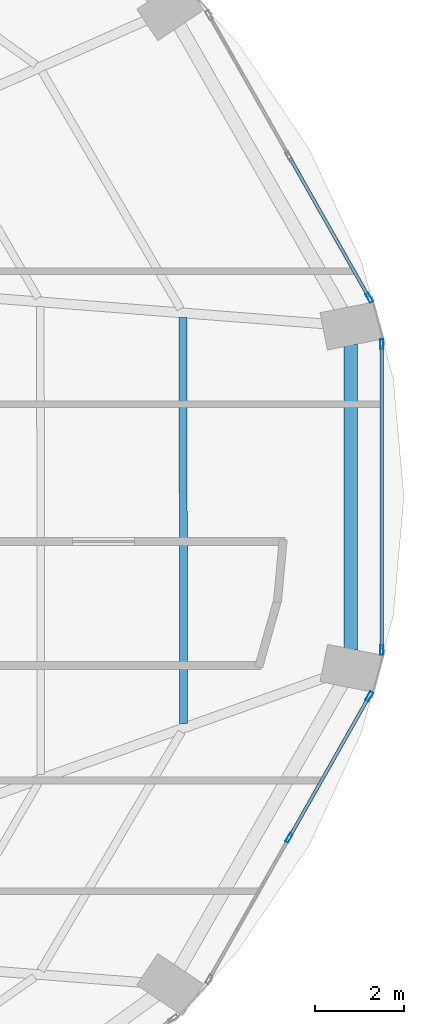
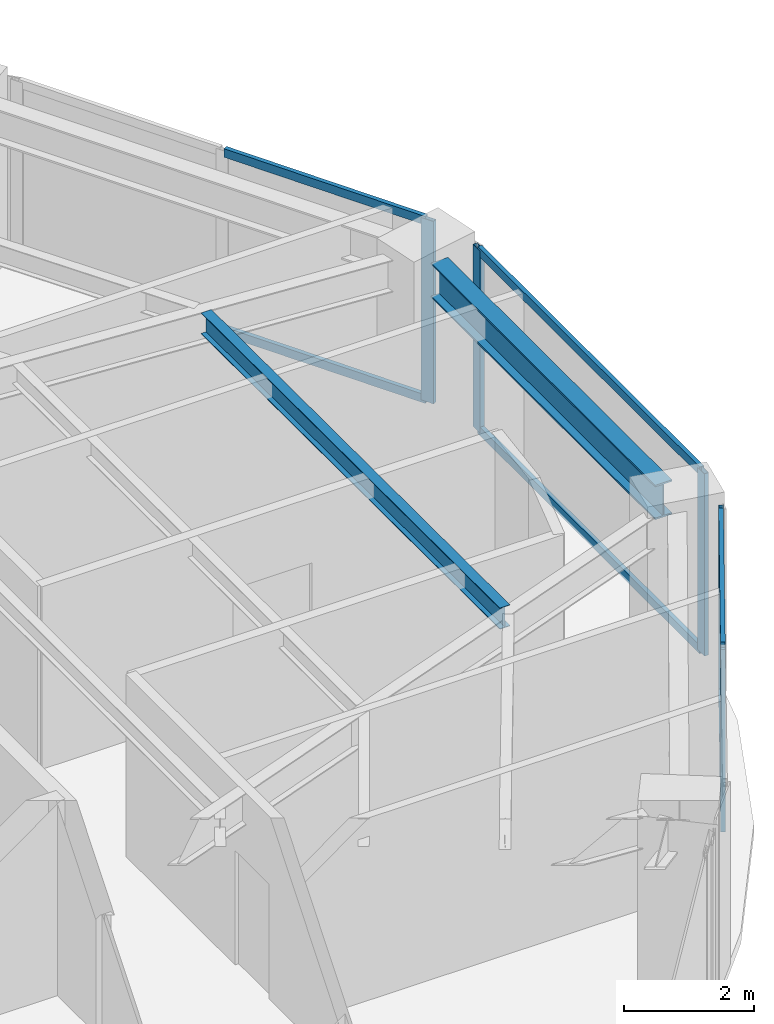
# One storey, part 13 of 25: 11 members, 2 beams, 3 elements without a shape of their own.
"""IFC4 building model written with IfcOpenShell, lengths in metres."""

from ifc_helpers import new_model, si_unit, direction, frame, origin, origin_2d, place, context, subcontext, project, spatial, hollow_rectangle, i_section, extrude, material, layer, layer_set, material_profile, profile_set, type_object, element, aggregate, save


model = new_model("IFC4")

# Units and contexts
model_context = context("Model", 3, precision=1e-05, world=origin(), true_north=direction((0.0, 1.0)))
body_context = subcontext(model_context, "Body", "Model", "MODEL_VIEW")
ifc_project = project(units=[si_unit("LENGTHUNIT", "METRE"), si_unit("AREAUNIT", "SQUARE_METRE"), si_unit("VOLUMEUNIT", "CUBIC_METRE"), si_unit("PLANEANGLEUNIT", "RADIAN"), si_unit("MASSUNIT", "GRAM", prefix="KILO")], contexts=[model_context])

# Site, building, storey
site_placement = place(None, origin())
site = spatial("IfcSite", under=ifc_project, at=site_placement, CompositionType="ELEMENT")
building_placement = place(site_placement, origin())
building = spatial("IfcBuilding", under=site, at=building_placement, Name="Lazwardi Medical Tower", CompositionType="ELEMENT")
storey_placement = place(building_placement, frame((0.0, 0.0, 50.736083984375)))
storey = spatial("IfcBuildingStorey", under=building, at=storey_placement, Name="L12", CompositionType="ELEMENT", Elevation=50.736083984375)

# Beams
ifc_material_1 = material(Name="Steel S355", Category="steel")
ifc_material_profile_1 = material_profile(ifc_material_1, i_section(OverallWidth=0.300048828125, OverallDepth=0.64990234375, WebThickness=0.01611328125, FlangeThickness=0.031005859375, at=origin_2d()), Name="HEB 650")
ifc_profile_set_1 = profile_set([ifc_material_profile_1], Name="Steel S355")
beam_type_1 = type_object("IfcBeamType", Name="BM-RB-Z1", PredefinedType="BEAM", material=ifc_profile_set_1)
beam_1_placement = place(storey_placement, frame((62.800048828125, 26.952392578125, 3.10302734375), z_axis=(0.0, 1.0, 0.0), x_axis=(-1.0, 0.0, 0.0)))
element("IfcBeam", 1, at=beam_1_placement, inside=storey, type_object=beam_type_1, Name="Ring beam RB-02 B04 L12", PredefinedType="BEAM", context=body_context, shape_type="SweptSolid", body=[
    extrude(i_section(OverallWidth=0.300048828125, OverallDepth=0.64990234375, WebThickness=0.01611328125, FlangeThickness=0.031005859375, at=origin_2d()), origin(), (0.0, 0.0, 1.0), 6.895263671875),
])
ifc_material_profile_2 = material_profile(ifc_material_1, i_section(OverallWidth=0.179931640625, OverallDepth=0.39990234375, WebThickness=0.008544921875, FlangeThickness=0.013427734375, at=origin_2d()), Name="IPE 400")
ifc_profile_set_2 = profile_set([ifc_material_profile_2], Name="Steel S355")
beam_type_2 = type_object("IfcBeamType", Name="BM-SJ-01", PredefinedType="JOIST", material=ifc_profile_set_2)
beam_2_placement = place(storey_placement, frame((59.0234375, 25.291015625, 3.22802734375), z_axis=(-0.002077613181, 0.999997841759, 0.0), x_axis=(-0.999997841759, -0.002077613181, 0.0)))
element("IfcBeam", 2, at=beam_2_placement, inside=storey, type_object=beam_type_2, Name="Secondary joist SJ-01 R1 B04 L12", PredefinedType="JOIST", context=body_context, shape_type="SweptSolid", body=[
    extrude(i_section(OverallWidth=0.179931640625, OverallDepth=0.39990234375, WebThickness=0.008544921875, FlangeThickness=0.013427734375, at=origin_2d()), origin(), (0.0, 0.0, 1.0), 9.165771484375),
])

# Curtain wall, members
ifc_material_2 = material(Name="Anodised bronze aluminium and solar control glazing", Category="aluminium")
ifc_layer = layer(ifc_material_2, 0.199951171875)
ifc_layer_set = layer_set([ifc_layer], Name="Anodised bronze aluminium and solar control glazing")
curtain_wall_type = type_object("IfcCurtainWallType", Name="CW-SYS-02", PredefinedType="NOTDEFINED", material=ifc_layer_set)
curtain_wall_1_placement = place(storey_placement, origin())
curtain_wall_1 = element("IfcCurtainWall", 3, at=curtain_wall_1_placement, inside=storey, type_object=curtain_wall_type, Name="L12 Unitised bronze curtain wall CW-02", PredefinedType="NOTDEFINED")
ifc_material_3 = material(Name="Anodised bronze aluminium", Category="aluminium")
ifc_material_profile_3 = material_profile(ifc_material_3, hollow_rectangle(XDim=0.074951171875, YDim=0.219970703125, WallThickness=0.00390625, at=origin_2d()), Name="ALU-MULLION 220x75x4")
ifc_profile_set_3 = profile_set([ifc_material_profile_3], Name="Anodised bronze aluminium")
member_type_1 = type_object("IfcMemberType", Name="CW-MUL-01", PredefinedType="MULLION", material=ifc_profile_set_3)
member_1_placement = place(storey_placement, frame((61.4052734375, 22.70458984375, 0.0), z_axis=(0.0, 0.0, 1.0), x_axis=(-0.870111838823, 0.492854327303, 0.0)))
member_1 = element("IfcMember", 4, at=member_1_placement, type_object=member_type_1, Name="CW-02 mullion 2", PredefinedType="MULLION", context=body_context, shape_type="SweptSolid", body=[
    extrude(hollow_rectangle(XDim=0.074951171875, YDim=0.219970703125, WallThickness=0.00390625, at=origin_2d()), origin(), (0.0, 0.0, 1.0), 3.427978515625),
])
member_2_placement = place(storey_placement, frame((63.214111328125, 25.897705078125, 0.0), z_axis=(0.0, 0.0, 1.0), x_axis=(-0.870111838823, 0.492854327303, 0.0)))
member_2 = element("IfcMember", 5, at=member_2_placement, type_object=member_type_1, Name="CW-02 mullion 3", PredefinedType="MULLION", context=body_context, shape_type="SweptSolid", body=[
    extrude(hollow_rectangle(XDim=0.074951171875, YDim=0.219970703125, WallThickness=0.00390625, at=origin_2d()), origin(), (0.0, 0.0, 1.0), 3.427978515625),
])

curtain_wall_2_placement = place(storey_placement, origin())
curtain_wall_2 = element("IfcCurtainWall", 6, at=curtain_wall_2_placement, inside=storey, type_object=curtain_wall_type, Name="L12 Unitised bronze curtain wall CW-02", PredefinedType="NOTDEFINED")
member_3_placement = place(storey_placement, frame((63.49853515625, 26.946044921875, 0.0), z_axis=(0.0, 0.0, 1.0), x_axis=(-1.0, 0.0, 0.0)))
member_3 = element("IfcMember", 7, at=member_3_placement, type_object=member_type_1, Name="CW-02 mullion 1", PredefinedType="MULLION", context=body_context, shape_type="SweptSolid", body=[
    extrude(hollow_rectangle(XDim=0.074951171875, YDim=0.219970703125, WallThickness=0.00390625, at=origin_2d()), origin(), (0.0, 0.0, 1.0), 3.427978515625),
])
member_4_placement = place(storey_placement, frame((63.49853515625, 33.85400390625, 0.0), z_axis=(0.0, 0.0, 1.0), x_axis=(-1.0, 0.0, 0.0)))
member_4 = element("IfcMember", 8, at=member_4_placement, type_object=member_type_1, Name="CW-02 mullion 2", PredefinedType="MULLION", context=body_context, shape_type="SweptSolid", body=[
    extrude(hollow_rectangle(XDim=0.074951171875, YDim=0.219970703125, WallThickness=0.00390625, at=origin_2d()), origin(), (0.0, 0.0, 1.0), 3.427978515625),
])

# Curtain wall, member
curtain_wall_3_placement = place(storey_placement, origin())
curtain_wall_3 = element("IfcCurtainWall", 9, at=curtain_wall_3_placement, inside=storey, type_object=curtain_wall_type, Name="L12 Unitised bronze curtain wall CW-02", PredefinedType="NOTDEFINED")
member_5_placement = place(storey_placement, frame((63.214111328125, 34.90234375, 0.0), z_axis=(0.0, 0.0, 1.0), x_axis=(-0.870111838823, -0.492854327303, 0.0)))
member_5 = element("IfcMember", 10, at=member_5_placement, type_object=member_type_1, Name="CW-02 mullion 1", PredefinedType="MULLION", context=body_context, shape_type="SweptSolid", body=[
    extrude(hollow_rectangle(XDim=0.074951171875, YDim=0.219970703125, WallThickness=0.00390625, at=origin_2d()), origin(), (0.0, 0.0, 1.0), 3.427978515625),
])

# Member
ifc_material_profile_4 = material_profile(ifc_material_3, hollow_rectangle(XDim=0.074951171875, YDim=0.159912109375, WallThickness=0.00390625, at=origin_2d()), Name="ALU-TRANSOM 160x75x4")
ifc_profile_set_4 = profile_set([ifc_material_profile_4], Name="Anodised bronze aluminium")
member_type_2 = type_object("IfcMemberType", Name="CW-TRN-01", PredefinedType="USERDEFINED", material=ifc_profile_set_4)
member_6_placement = place(storey_placement, frame((61.423828125, 22.737060546875, 0.037353515625), z_axis=(0.49285148925, 0.870113446365, 0.0), x_axis=(-0.870113446365, 0.49285148925, 0.0)))
member_6 = element("IfcMember", 11, at=member_6_placement, type_object=member_type_2, Name="CW-02 transom 2.1", ObjectType="TRANSOM", PredefinedType="USERDEFINED", context=body_context, shape_type="SweptSolid", body=[
    extrude(hollow_rectangle(XDim=0.074951171875, YDim=0.159912109375, WallThickness=0.00390625, at=origin_2d()), origin(), (0.0, 0.0, 1.0), 3.594970703125),
])

member_7_placement = place(storey_placement, frame((61.423828125, 22.737060546875, 3.390380859375), z_axis=(0.49285148925, 0.870113446365, 0.0), x_axis=(-0.870113446365, 0.49285148925, 0.0)))
member_7 = element("IfcMember", 12, at=member_7_placement, type_object=member_type_2, Name="CW-02 transom 2.2", ObjectType="TRANSOM", PredefinedType="USERDEFINED", context=body_context, shape_type="SweptSolid", body=[
    extrude(hollow_rectangle(XDim=0.074951171875, YDim=0.159912109375, WallThickness=0.00390625, at=origin_2d()), origin(), (0.0, 0.0, 1.0), 3.594970703125),
])

aggregate(curtain_wall_1, [member_1, member_2, member_6, member_7])

member_8_placement = place(storey_placement, frame((63.49853515625, 26.9833984375, 0.037353515625), z_axis=(0.0, 1.0, 0.0), x_axis=(-1.0, 0.0, 0.0)))
member_8 = element("IfcMember", 13, at=member_8_placement, type_object=member_type_2, Name="CW-02 transom 1.1", ObjectType="TRANSOM", PredefinedType="USERDEFINED", context=body_context, shape_type="SweptSolid", body=[
    extrude(hollow_rectangle(XDim=0.074951171875, YDim=0.159912109375, WallThickness=0.00390625, at=origin_2d()), origin(), (0.0, 0.0, 1.0), 6.8330078125),
])

member_9_placement = place(storey_placement, frame((63.49853515625, 26.9833984375, 3.390380859375), z_axis=(0.0, 1.0, 0.0), x_axis=(-1.0, 0.0, 0.0)))
member_9 = element("IfcMember", 14, at=member_9_placement, type_object=member_type_2, Name="CW-02 transom 1.2", ObjectType="TRANSOM", PredefinedType="USERDEFINED", context=body_context, shape_type="SweptSolid", body=[
    extrude(hollow_rectangle(XDim=0.074951171875, YDim=0.159912109375, WallThickness=0.00390625, at=origin_2d()), origin(), (0.0, 0.0, 1.0), 6.8330078125),
])

aggregate(curtain_wall_2, [member_3, member_4, member_8, member_9])

member_10_placement = place(storey_placement, frame((63.195556640625, 34.93505859375, 0.037353515625), z_axis=(-0.492880614687, 0.870096948429, 0.0), x_axis=(-0.870096948429, -0.492880614687, 0.0)))
member_10 = element("IfcMember", 15, at=member_10_placement, type_object=member_type_2, Name="CW-02 transom 1.1", ObjectType="TRANSOM", PredefinedType="USERDEFINED", context=body_context, shape_type="SweptSolid", body=[
    extrude(hollow_rectangle(XDim=0.074951171875, YDim=0.159912109375, WallThickness=0.00390625, at=origin_2d()), origin(), (0.0, 0.0, 1.0), 3.5947265625),
])

member_11_placement = place(storey_placement, frame((63.195556640625, 34.93505859375, 3.390380859375), z_axis=(-0.492880614687, 0.870096948429, 0.0), x_axis=(-0.870096948429, -0.492880614687, 0.0)))
member_11 = element("IfcMember", 16, at=member_11_placement, type_object=member_type_2, Name="CW-02 transom 1.2", ObjectType="TRANSOM", PredefinedType="USERDEFINED", context=body_context, shape_type="SweptSolid", body=[
    extrude(hollow_rectangle(XDim=0.074951171875, YDim=0.159912109375, WallThickness=0.00390625, at=origin_2d()), origin(), (0.0, 0.0, 1.0), 3.5947265625),
])

aggregate(curtain_wall_3, [member_5, member_10, member_11])

save(model, "model.ifc")
